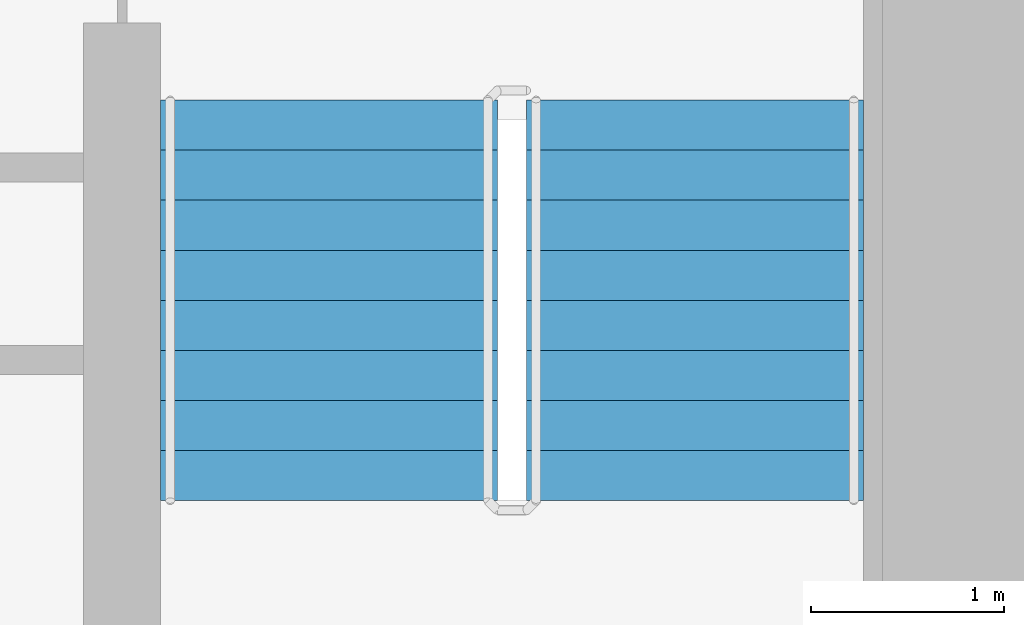
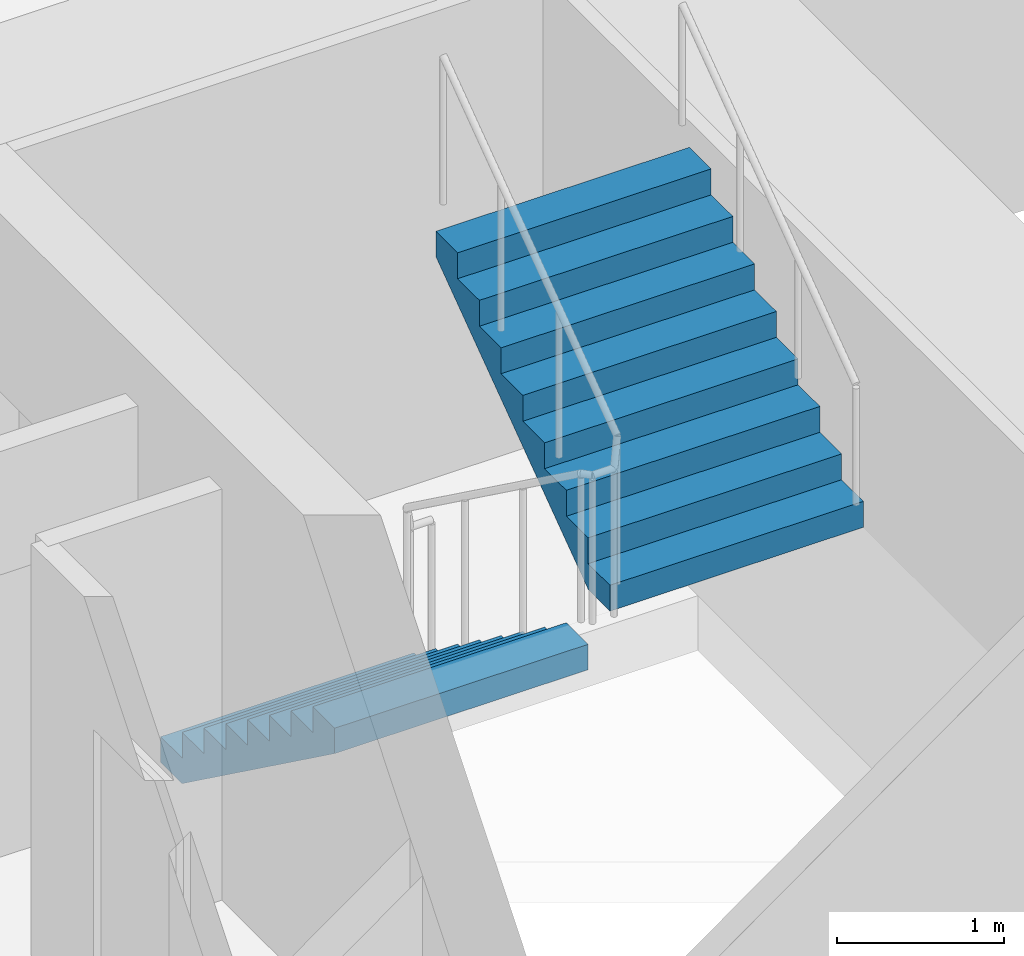
# One storey, part 18 of 21: 2 stair flights, 1 element without a shape of its own.
"""IFC4 building model written with IfcOpenShell, lengths in metres."""

from ifc_helpers import new_model, si_unit, direction, frame, origin, place, context, subcontext, project, spatial, faceted_brep, material, type_object, element, aggregate, save


model = new_model("IFC4")

# Units and contexts
model_context = context("Model", 3, precision=1e-05, world=origin(), true_north=direction((0.0, 1.0)))
body_context = subcontext(model_context, "Body", "Model", "MODEL_VIEW")
ifc_project = project(units=[si_unit("LENGTHUNIT", "METRE"), si_unit("AREAUNIT", "SQUARE_METRE"), si_unit("VOLUMEUNIT", "CUBIC_METRE"), si_unit("PLANEANGLEUNIT", "RADIAN"), si_unit("MASSUNIT", "GRAM", prefix="KILO")], contexts=[model_context])

# Site, building, storey
site_placement = place(None, origin())
site = spatial("IfcSite", under=ifc_project, at=site_placement, CompositionType="ELEMENT")
building_placement = place(site_placement, origin())
building = spatial("IfcBuilding", under=site, at=building_placement, Name="Ipe Terrace Towers", CompositionType="ELEMENT")
storey_placement = place(building_placement, frame((0.0, 0.0, 27.89990234375)))
storey = spatial("IfcBuildingStorey", under=building, at=storey_placement, Name="L06", CompositionType="ELEMENT", Elevation=27.89990234375)

# Stair, stair flights
ifc_material_1 = material(Name="Concrete C30/37", Category="concrete")
stair_type = type_object("IfcStairType", Name="Protected exit stair", PredefinedType="HALF_TURN_STAIR", material=ifc_material_1)
stair_placement = place(storey_placement, origin())
stair = element("IfcStair", 1, at=stair_placement, inside=storey, type_object=stair_type, Name="L06 Exit stair T2-C2", PredefinedType="HALF_TURN_STAIR")
ifc_material_2 = material(Name="Concrete C30/37", Category="concrete")
stair_flight_type = type_object("IfcStairFlightType", Name="Exit stair flight 1750", PredefinedType="STRAIGHT", material=ifc_material_2)
stair_flight_1_placement = place(storey_placement, frame((38.77490234375, -9.699951171875, 0.0), z_axis=(0.0, 0.0, 1.0), x_axis=(0.0, -1.0, 0.0)))
stair_flight_1 = element("IfcStairFlight", 2, at=stair_flight_1_placement, type_object=stair_flight_type, Name="T2-ST2 flight 1", NumberOfRisers=9, NumberOfTreads=8, PredefinedType="STRAIGHT", RiserHeight=0.188888889, TreadLength=0.26, context=body_context, shape_type="Brep", body=[
    faceted_brep([(0.255126953125, -0.875, 0.0), (2.080078125, -0.875, 1.325927734375), (2.080078125, -0.875, 1.51123046875), (1.820068359375, -0.875, 1.51123046875), (1.820068359375, -0.875, 1.322265625), (1.56005859375, -0.875, 1.322265625), (1.56005859375, -0.875, 1.13330078125), (1.300048828125, -0.875, 1.13330078125), (1.300048828125, -0.875, 0.9443359375), (1.0400390625, -0.875, 0.9443359375), (1.0400390625, -0.875, 0.755615234375), (0.780029296875, -0.875, 0.755615234375), (0.780029296875, -0.875, 0.566650390625), (0.52001953125, -0.875, 0.566650390625), (0.52001953125, -0.875, 0.377685546875), (0.260009765625, -0.875, 0.377685546875), (0.260009765625, -0.875, 0.18896484375), (0.0, -0.875, 0.18896484375), (0.0, -0.875, 0.0), (0.0, 0.875, 0.0), (0.0, 0.875, 0.18896484375), (0.260009765625, 0.875, 0.18896484375), (0.260009765625, 0.875, 0.377685546875), (0.52001953125, 0.875, 0.377685546875), (0.52001953125, 0.875, 0.566650390625), (0.780029296875, 0.875, 0.566650390625), (0.780029296875, 0.875, 0.755615234375), (1.0400390625, 0.875, 0.755615234375), (1.0400390625, 0.875, 0.9443359375), (1.300048828125, 0.875, 0.9443359375), (1.300048828125, 0.875, 1.13330078125), (1.56005859375, 0.875, 1.13330078125), (1.56005859375, 0.875, 1.322265625), (1.820068359375, 0.875, 1.322265625), (1.820068359375, 0.875, 1.51123046875), (2.080078125, 0.875, 1.51123046875), (2.080078125, 0.875, 1.325927734375), (0.255126953125, 0.875, 0.0), (0.0, -0.300048828125, 0.18896484375), (0.0, -0.1201171875, 0.18896484375), (0.0, -0.06005859375, 0.18896484375), (0.0, -0.030029296875, 0.18896484375), (0.0, -0.010009765625, 0.18896484375), (0.0, 0.0, 0.18896484375), (0.0, 0.010009765625, 0.18896484375), (0.0, 0.030029296875, 0.18896484375), (0.0, 0.06005859375, 0.18896484375), (0.0, 0.1201171875, 0.18896484375), (0.0, 0.300048828125, 0.18896484375), (0.0, 0.300048828125, 0.0), (0.0, 0.1201171875, 0.0), (0.0, 0.06005859375, 0.0), (0.0, 0.030029296875, 0.0), (0.0, 0.010009765625, 0.0), (0.0, 0.0, 0.0), (0.0, -0.010009765625, 0.0), (0.0, -0.030029296875, 0.0), (0.0, -0.06005859375, 0.0), (0.0, -0.1201171875, 0.0), (0.0, -0.300048828125, 0.0), (0.260009765625, -0.300048828125, 0.18896484375), (0.260009765625, -0.1201171875, 0.18896484375), (0.260009765625, -0.06005859375, 0.18896484375), (0.260009765625, -0.030029296875, 0.18896484375), (0.260009765625, -0.010009765625, 0.18896484375), (0.260009765625, 0.0, 0.18896484375), (0.260009765625, 0.010009765625, 0.18896484375), (0.260009765625, 0.030029296875, 0.18896484375), (0.260009765625, 0.06005859375, 0.18896484375), (0.260009765625, 0.1201171875, 0.18896484375), (0.260009765625, 0.300048828125, 0.18896484375), (0.260009765625, -0.300048828125, 0.377685546875), (0.260009765625, -0.1201171875, 0.377685546875), (0.260009765625, -0.06005859375, 0.377685546875), (0.260009765625, -0.030029296875, 0.377685546875), (0.260009765625, -0.010009765625, 0.377685546875), (0.260009765625, 0.0, 0.377685546875), (0.260009765625, 0.010009765625, 0.377685546875), (0.260009765625, 0.030029296875, 0.377685546875), (0.260009765625, 0.06005859375, 0.377685546875), (0.260009765625, 0.1201171875, 0.377685546875), (0.260009765625, 0.300048828125, 0.377685546875), (0.52001953125, -0.300048828125, 0.377685546875), (0.52001953125, -0.1201171875, 0.377685546875), (0.52001953125, -0.06005859375, 0.377685546875), (0.52001953125, -0.030029296875, 0.377685546875), (0.52001953125, -0.010009765625, 0.377685546875), (0.52001953125, 0.0, 0.377685546875), (0.52001953125, 0.010009765625, 0.377685546875), (0.52001953125, 0.030029296875, 0.377685546875), (0.52001953125, 0.06005859375, 0.377685546875), (0.52001953125, 0.1201171875, 0.377685546875), (0.52001953125, 0.300048828125, 0.377685546875), (0.52001953125, -0.300048828125, 0.566650390625), (0.52001953125, -0.1201171875, 0.566650390625), (0.52001953125, -0.06005859375, 0.566650390625), (0.52001953125, -0.030029296875, 0.566650390625), (0.52001953125, -0.010009765625, 0.566650390625), (0.52001953125, 0.0, 0.566650390625), (0.52001953125, 0.010009765625, 0.566650390625), (0.52001953125, 0.030029296875, 0.566650390625), (0.52001953125, 0.06005859375, 0.566650390625), (0.52001953125, 0.1201171875, 0.566650390625), (0.52001953125, 0.300048828125, 0.566650390625), (0.780029296875, -0.300048828125, 0.566650390625), (0.780029296875, -0.1201171875, 0.566650390625), (0.780029296875, -0.06005859375, 0.566650390625), (0.780029296875, -0.030029296875, 0.566650390625), (0.780029296875, -0.010009765625, 0.566650390625), (0.780029296875, 0.0, 0.566650390625), (0.780029296875, 0.010009765625, 0.566650390625), (0.780029296875, 0.030029296875, 0.566650390625), (0.780029296875, 0.06005859375, 0.566650390625), (0.780029296875, 0.1201171875, 0.566650390625), (0.780029296875, 0.300048828125, 0.566650390625), (0.780029296875, -0.300048828125, 0.755615234375), (0.780029296875, -0.1201171875, 0.755615234375), (0.780029296875, -0.06005859375, 0.755615234375), (0.780029296875, -0.030029296875, 0.755615234375), (0.780029296875, -0.010009765625, 0.755615234375), (0.780029296875, 0.0, 0.755615234375), (0.780029296875, 0.010009765625, 0.755615234375), (0.780029296875, 0.030029296875, 0.755615234375), (0.780029296875, 0.06005859375, 0.755615234375), (0.780029296875, 0.1201171875, 0.755615234375), (0.780029296875, 0.300048828125, 0.755615234375), (1.0400390625, -0.300048828125, 0.755615234375), (1.0400390625, -0.1201171875, 0.755615234375), (1.0400390625, -0.06005859375, 0.755615234375), (1.0400390625, -0.030029296875, 0.755615234375), (1.0400390625, -0.010009765625, 0.755615234375), (1.0400390625, 0.0, 0.755615234375), (1.0400390625, 0.010009765625, 0.755615234375), (1.0400390625, 0.030029296875, 0.755615234375), (1.0400390625, 0.06005859375, 0.755615234375), (1.0400390625, 0.1201171875, 0.755615234375), (1.0400390625, 0.300048828125, 0.755615234375), (1.0400390625, -0.300048828125, 0.9443359375), (1.0400390625, -0.1201171875, 0.9443359375), (1.0400390625, -0.06005859375, 0.9443359375), (1.0400390625, -0.030029296875, 0.9443359375), (1.0400390625, -0.010009765625, 0.9443359375), (1.0400390625, 0.0, 0.9443359375), (1.0400390625, 0.010009765625, 0.9443359375), (1.0400390625, 0.030029296875, 0.9443359375), (1.0400390625, 0.06005859375, 0.9443359375), (1.0400390625, 0.1201171875, 0.9443359375), (1.0400390625, 0.300048828125, 0.9443359375), (1.300048828125, -0.300048828125, 0.9443359375), (1.300048828125, -0.1201171875, 0.9443359375), (1.300048828125, -0.06005859375, 0.9443359375), (1.300048828125, -0.030029296875, 0.9443359375), (1.300048828125, -0.010009765625, 0.9443359375), (1.300048828125, 0.0, 0.9443359375), (1.300048828125, 0.010009765625, 0.9443359375), (1.300048828125, 0.030029296875, 0.9443359375), (1.300048828125, 0.06005859375, 0.9443359375), (1.300048828125, 0.1201171875, 0.9443359375), (1.300048828125, 0.300048828125, 0.9443359375), (1.300048828125, -0.300048828125, 1.13330078125), (1.300048828125, -0.1201171875, 1.13330078125), (1.300048828125, -0.06005859375, 1.13330078125), (1.300048828125, -0.030029296875, 1.13330078125), (1.300048828125, -0.010009765625, 1.13330078125), (1.300048828125, 0.0, 1.13330078125), (1.300048828125, 0.010009765625, 1.13330078125), (1.300048828125, 0.030029296875, 1.13330078125), (1.300048828125, 0.06005859375, 1.13330078125), (1.300048828125, 0.1201171875, 1.13330078125), (1.300048828125, 0.300048828125, 1.13330078125), (1.56005859375, -0.300048828125, 1.13330078125), (1.56005859375, -0.1201171875, 1.13330078125), (1.56005859375, -0.06005859375, 1.13330078125), (1.56005859375, -0.030029296875, 1.13330078125), (1.56005859375, -0.010009765625, 1.13330078125), (1.56005859375, 0.0, 1.13330078125), (1.56005859375, 0.010009765625, 1.13330078125), (1.56005859375, 0.030029296875, 1.13330078125), (1.56005859375, 0.06005859375, 1.13330078125), (1.56005859375, 0.1201171875, 1.13330078125), (1.56005859375, 0.300048828125, 1.13330078125), (1.56005859375, -0.300048828125, 1.322265625), (1.56005859375, -0.1201171875, 1.322265625), (1.56005859375, -0.06005859375, 1.322265625), (1.56005859375, -0.030029296875, 1.322265625), (1.56005859375, -0.010009765625, 1.322265625), (1.56005859375, 0.0, 1.322265625), (1.56005859375, 0.010009765625, 1.322265625), (1.56005859375, 0.030029296875, 1.322265625), (1.56005859375, 0.06005859375, 1.322265625), (1.56005859375, 0.1201171875, 1.322265625), (1.56005859375, 0.300048828125, 1.322265625), (1.820068359375, -0.300048828125, 1.322265625), (1.820068359375, -0.1201171875, 1.322265625), (1.820068359375, -0.06005859375, 1.322265625), (1.820068359375, -0.030029296875, 1.322265625), (1.820068359375, -0.010009765625, 1.322265625), (1.820068359375, 0.0, 1.322265625), (1.820068359375, 0.010009765625, 1.322265625), (1.820068359375, 0.030029296875, 1.322265625), (1.820068359375, 0.06005859375, 1.322265625), (1.820068359375, 0.1201171875, 1.322265625), (1.820068359375, 0.300048828125, 1.322265625), (1.820068359375, -0.300048828125, 1.51123046875), (1.820068359375, -0.1201171875, 1.51123046875), (1.820068359375, -0.06005859375, 1.51123046875), (1.820068359375, -0.030029296875, 1.51123046875), (1.820068359375, -0.010009765625, 1.51123046875), (1.820068359375, 0.0, 1.51123046875), (1.820068359375, 0.010009765625, 1.51123046875), (1.820068359375, 0.030029296875, 1.51123046875), (1.820068359375, 0.06005859375, 1.51123046875), (1.820068359375, 0.1201171875, 1.51123046875), (1.820068359375, 0.300048828125, 1.51123046875), (2.080078125, -0.300048828125, 1.51123046875), (2.080078125, -0.1201171875, 1.51123046875), (2.080078125, -0.06005859375, 1.51123046875), (2.080078125, -0.030029296875, 1.51123046875), (2.080078125, -0.010009765625, 1.51123046875), (2.080078125, 0.0, 1.51123046875), (2.080078125, 0.010009765625, 1.51123046875), (2.080078125, 0.030029296875, 1.51123046875), (2.080078125, 0.06005859375, 1.51123046875), (2.080078125, 0.1201171875, 1.51123046875), (2.080078125, 0.300048828125, 1.51123046875), (2.080078125, -0.300048828125, 1.325927734375), (2.080078125, -0.1201171875, 1.325927734375), (2.080078125, -0.06005859375, 1.325927734375), (2.080078125, -0.030029296875, 1.325927734375), (2.080078125, -0.010009765625, 1.325927734375), (2.080078125, 0.0, 1.325927734375), (2.080078125, 0.010009765625, 1.325927734375), (2.080078125, 0.030029296875, 1.325927734375), (2.080078125, 0.06005859375, 1.325927734375), (2.080078125, 0.1201171875, 1.325927734375), (2.080078125, 0.300048828125, 1.325927734375), (0.255126953125, -0.300048828125, 0.0), (0.255126953125, -0.1201171875, 0.0), (0.255126953125, -0.06005859375, 0.0), (0.255126953125, -0.030029296875, 0.0), (0.255126953125, -0.010009765625, 0.0), (0.255126953125, 0.0, 0.0), (0.255126953125, 0.010009765625, 0.0), (0.255126953125, 0.030029296875, 0.0), (0.255126953125, 0.06005859375, 0.0), (0.255126953125, 0.1201171875, 0.0), (0.255126953125, 0.300048828125, 0.0)], [[[0, 1, 2, 3, 4, 5, 6, 7, 8, 9, 10, 11, 12, 13, 14, 15, 16, 17, 18]], [[19, 20, 21, 22, 23, 24, 25, 26, 27, 28, 29, 30, 31, 32, 33, 34, 35, 36, 37]], [[17, 38, 39, 40, 41, 42, 43, 44, 45, 46, 47, 48, 20, 19, 49, 50, 51, 52, 53, 54, 55, 56, 57, 58, 59, 18]], [[16, 60, 61, 62, 63, 64, 65, 66, 67, 68, 69, 70, 21, 20, 48, 47, 46, 45, 44, 43, 42, 41, 40, 39, 38, 17]], [[15, 71, 72, 73, 74, 75, 76, 77, 78, 79, 80, 81, 22, 21, 70, 69, 68, 67, 66, 65, 64, 63, 62, 61, 60, 16]], [[14, 82, 83, 84, 85, 86, 87, 88, 89, 90, 91, 92, 23, 22, 81, 80, 79, 78, 77, 76, 75, 74, 73, 72, 71, 15]], [[13, 93, 94, 95, 96, 97, 98, 99, 100, 101, 102, 103, 24, 23, 92, 91, 90, 89, 88, 87, 86, 85, 84, 83, 82, 14]], [[12, 104, 105, 106, 107, 108, 109, 110, 111, 112, 113, 114, 25, 24, 103, 102, 101, 100, 99, 98, 97, 96, 95, 94, 93, 13]], [[11, 115, 116, 117, 118, 119, 120, 121, 122, 123, 124, 125, 26, 25, 114, 113, 112, 111, 110, 109, 108, 107, 106, 105, 104, 12]], [[10, 126, 127, 128, 129, 130, 131, 132, 133, 134, 135, 136, 27, 26, 125, 124, 123, 122, 121, 120, 119, 118, 117, 116, 115, 11]], [[9, 137, 138, 139, 140, 141, 142, 143, 144, 145, 146, 147, 28, 27, 136, 135, 134, 133, 132, 131, 130, 129, 128, 127, 126, 10]], [[8, 148, 149, 150, 151, 152, 153, 154, 155, 156, 157, 158, 29, 28, 147, 146, 145, 144, 143, 142, 141, 140, 139, 138, 137, 9]], [[7, 159, 160, 161, 162, 163, 164, 165, 166, 167, 168, 169, 30, 29, 158, 157, 156, 155, 154, 153, 152, 151, 150, 149, 148, 8]], [[6, 170, 171, 172, 173, 174, 175, 176, 177, 178, 179, 180, 31, 30, 169, 168, 167, 166, 165, 164, 163, 162, 161, 160, 159, 7]], [[5, 181, 182, 183, 184, 185, 186, 187, 188, 189, 190, 191, 32, 31, 180, 179, 178, 177, 176, 175, 174, 173, 172, 171, 170, 6]], [[4, 192, 193, 194, 195, 196, 197, 198, 199, 200, 201, 202, 33, 32, 191, 190, 189, 188, 187, 186, 185, 184, 183, 182, 181, 5]], [[3, 203, 204, 205, 206, 207, 208, 209, 210, 211, 212, 213, 34, 33, 202, 201, 200, 199, 198, 197, 196, 195, 194, 193, 192, 4]], [[2, 214, 215, 216, 217, 218, 219, 220, 221, 222, 223, 224, 35, 34, 213, 212, 211, 210, 209, 208, 207, 206, 205, 204, 203, 3]], [[1, 225, 226, 227, 228, 229, 230, 231, 232, 233, 234, 235, 36, 35, 224, 223, 222, 221, 220, 219, 218, 217, 216, 215, 214, 2]], [[0, 236, 237, 238, 239, 240, 241, 242, 243, 244, 245, 246, 37, 36, 235, 234, 233, 232, 231, 230, 229, 228, 227, 226, 225, 1]], [[18, 59, 58, 57, 56, 55, 54, 53, 52, 51, 50, 49, 19, 37, 246, 245, 244, 243, 242, 241, 240, 239, 238, 237, 236, 0]]]),
])
stair_flight_2_placement = place(storey_placement, frame((40.675048828125, -11.780029296875, 1.7001953125), z_axis=(0.0, 0.0, 1.0), x_axis=(0.0, 1.0, 0.0)))
stair_flight_2 = element("IfcStairFlight", 3, at=stair_flight_2_placement, type_object=stair_flight_type, Name="T2-ST2 flight 2", NumberOfRisers=9, NumberOfTreads=8, PredefinedType="STRAIGHT", RiserHeight=0.188888889, TreadLength=0.26, context=body_context, shape_type="Brep", body=[
    faceted_brep([(0.255126953125, -0.875, 0.0), (2.080078125, -0.875, 1.325927734375), (2.080078125, -0.875, 1.51123046875), (1.820068359375, -0.875, 1.51123046875), (1.820068359375, -0.875, 1.322265625), (1.56005859375, -0.875, 1.322265625), (1.56005859375, -0.875, 1.13330078125), (1.300048828125, -0.875, 1.13330078125), (1.300048828125, -0.875, 0.9443359375), (1.0400390625, -0.875, 0.9443359375), (1.0400390625, -0.875, 0.755615234375), (0.780029296875, -0.875, 0.755615234375), (0.780029296875, -0.875, 0.566650390625), (0.52001953125, -0.875, 0.566650390625), (0.52001953125, -0.875, 0.377685546875), (0.260009765625, -0.875, 0.377685546875), (0.260009765625, -0.875, 0.18896484375), (0.0, -0.875, 0.18896484375), (0.0, -0.875, 0.0), (0.0, 0.875, 0.0), (0.0, 0.875, 0.18896484375), (0.260009765625, 0.875, 0.18896484375), (0.260009765625, 0.875, 0.377685546875), (0.52001953125, 0.875, 0.377685546875), (0.52001953125, 0.875, 0.566650390625), (0.780029296875, 0.875, 0.566650390625), (0.780029296875, 0.875, 0.755615234375), (1.0400390625, 0.875, 0.755615234375), (1.0400390625, 0.875, 0.9443359375), (1.300048828125, 0.875, 0.9443359375), (1.300048828125, 0.875, 1.13330078125), (1.56005859375, 0.875, 1.13330078125), (1.56005859375, 0.875, 1.322265625), (1.820068359375, 0.875, 1.322265625), (1.820068359375, 0.875, 1.51123046875), (2.080078125, 0.875, 1.51123046875), (2.080078125, 0.875, 1.325927734375), (0.255126953125, 0.875, 0.0), (0.0, -0.300048828125, 0.18896484375), (0.0, -0.1201171875, 0.18896484375), (0.0, -0.06005859375, 0.18896484375), (0.0, -0.030029296875, 0.18896484375), (0.0, -0.010009765625, 0.18896484375), (0.0, 0.0, 0.18896484375), (0.0, 0.010009765625, 0.18896484375), (0.0, 0.030029296875, 0.18896484375), (0.0, 0.06005859375, 0.18896484375), (0.0, 0.1201171875, 0.18896484375), (0.0, 0.300048828125, 0.18896484375), (0.0, 0.300048828125, 0.0), (0.0, 0.1201171875, 0.0), (0.0, 0.06005859375, 0.0), (0.0, 0.030029296875, 0.0), (0.0, 0.010009765625, 0.0), (0.0, 0.0, 0.0), (0.0, -0.010009765625, 0.0), (0.0, -0.030029296875, 0.0), (0.0, -0.06005859375, 0.0), (0.0, -0.1201171875, 0.0), (0.0, -0.300048828125, 0.0), (0.260009765625, -0.300048828125, 0.18896484375), (0.260009765625, -0.1201171875, 0.18896484375), (0.260009765625, -0.06005859375, 0.18896484375), (0.260009765625, -0.030029296875, 0.18896484375), (0.260009765625, -0.010009765625, 0.18896484375), (0.260009765625, 0.0, 0.18896484375), (0.260009765625, 0.010009765625, 0.18896484375), (0.260009765625, 0.030029296875, 0.18896484375), (0.260009765625, 0.06005859375, 0.18896484375), (0.260009765625, 0.1201171875, 0.18896484375), (0.260009765625, 0.300048828125, 0.18896484375), (0.260009765625, -0.300048828125, 0.377685546875), (0.260009765625, -0.1201171875, 0.377685546875), (0.260009765625, -0.06005859375, 0.377685546875), (0.260009765625, -0.030029296875, 0.377685546875), (0.260009765625, -0.010009765625, 0.377685546875), (0.260009765625, 0.0, 0.377685546875), (0.260009765625, 0.010009765625, 0.377685546875), (0.260009765625, 0.030029296875, 0.377685546875), (0.260009765625, 0.06005859375, 0.377685546875), (0.260009765625, 0.1201171875, 0.377685546875), (0.260009765625, 0.300048828125, 0.377685546875), (0.52001953125, -0.300048828125, 0.377685546875), (0.52001953125, -0.1201171875, 0.377685546875), (0.52001953125, -0.06005859375, 0.377685546875), (0.52001953125, -0.030029296875, 0.377685546875), (0.52001953125, -0.010009765625, 0.377685546875), (0.52001953125, 0.0, 0.377685546875), (0.52001953125, 0.010009765625, 0.377685546875), (0.52001953125, 0.030029296875, 0.377685546875), (0.52001953125, 0.06005859375, 0.377685546875), (0.52001953125, 0.1201171875, 0.377685546875), (0.52001953125, 0.300048828125, 0.377685546875), (0.52001953125, -0.300048828125, 0.566650390625), (0.52001953125, -0.1201171875, 0.566650390625), (0.52001953125, -0.06005859375, 0.566650390625), (0.52001953125, -0.030029296875, 0.566650390625), (0.52001953125, -0.010009765625, 0.566650390625), (0.52001953125, 0.0, 0.566650390625), (0.52001953125, 0.010009765625, 0.566650390625), (0.52001953125, 0.030029296875, 0.566650390625), (0.52001953125, 0.06005859375, 0.566650390625), (0.52001953125, 0.1201171875, 0.566650390625), (0.52001953125, 0.300048828125, 0.566650390625), (0.780029296875, -0.300048828125, 0.566650390625), (0.780029296875, -0.1201171875, 0.566650390625), (0.780029296875, -0.06005859375, 0.566650390625), (0.780029296875, -0.030029296875, 0.566650390625), (0.780029296875, -0.010009765625, 0.566650390625), (0.780029296875, 0.0, 0.566650390625), (0.780029296875, 0.010009765625, 0.566650390625), (0.780029296875, 0.030029296875, 0.566650390625), (0.780029296875, 0.06005859375, 0.566650390625), (0.780029296875, 0.1201171875, 0.566650390625), (0.780029296875, 0.300048828125, 0.566650390625), (0.780029296875, -0.300048828125, 0.755615234375), (0.780029296875, -0.1201171875, 0.755615234375), (0.780029296875, -0.06005859375, 0.755615234375), (0.780029296875, -0.030029296875, 0.755615234375), (0.780029296875, -0.010009765625, 0.755615234375), (0.780029296875, 0.0, 0.755615234375), (0.780029296875, 0.010009765625, 0.755615234375), (0.780029296875, 0.030029296875, 0.755615234375), (0.780029296875, 0.06005859375, 0.755615234375), (0.780029296875, 0.1201171875, 0.755615234375), (0.780029296875, 0.300048828125, 0.755615234375), (1.0400390625, -0.300048828125, 0.755615234375), (1.0400390625, -0.1201171875, 0.755615234375), (1.0400390625, -0.06005859375, 0.755615234375), (1.0400390625, -0.030029296875, 0.755615234375), (1.0400390625, -0.010009765625, 0.755615234375), (1.0400390625, 0.0, 0.755615234375), (1.0400390625, 0.010009765625, 0.755615234375), (1.0400390625, 0.030029296875, 0.755615234375), (1.0400390625, 0.06005859375, 0.755615234375), (1.0400390625, 0.1201171875, 0.755615234375), (1.0400390625, 0.300048828125, 0.755615234375), (1.0400390625, -0.300048828125, 0.9443359375), (1.0400390625, -0.1201171875, 0.9443359375), (1.0400390625, -0.06005859375, 0.9443359375), (1.0400390625, -0.030029296875, 0.9443359375), (1.0400390625, -0.010009765625, 0.9443359375), (1.0400390625, 0.0, 0.9443359375), (1.0400390625, 0.010009765625, 0.9443359375), (1.0400390625, 0.030029296875, 0.9443359375), (1.0400390625, 0.06005859375, 0.9443359375), (1.0400390625, 0.1201171875, 0.9443359375), (1.0400390625, 0.300048828125, 0.9443359375), (1.300048828125, -0.300048828125, 0.9443359375), (1.300048828125, -0.1201171875, 0.9443359375), (1.300048828125, -0.06005859375, 0.9443359375), (1.300048828125, -0.030029296875, 0.9443359375), (1.300048828125, -0.010009765625, 0.9443359375), (1.300048828125, 0.0, 0.9443359375), (1.300048828125, 0.010009765625, 0.9443359375), (1.300048828125, 0.030029296875, 0.9443359375), (1.300048828125, 0.06005859375, 0.9443359375), (1.300048828125, 0.1201171875, 0.9443359375), (1.300048828125, 0.300048828125, 0.9443359375), (1.300048828125, -0.300048828125, 1.13330078125), (1.300048828125, -0.1201171875, 1.13330078125), (1.300048828125, -0.06005859375, 1.13330078125), (1.300048828125, -0.030029296875, 1.13330078125), (1.300048828125, -0.010009765625, 1.13330078125), (1.300048828125, 0.0, 1.13330078125), (1.300048828125, 0.010009765625, 1.13330078125), (1.300048828125, 0.030029296875, 1.13330078125), (1.300048828125, 0.06005859375, 1.13330078125), (1.300048828125, 0.1201171875, 1.13330078125), (1.300048828125, 0.300048828125, 1.13330078125), (1.56005859375, -0.300048828125, 1.13330078125), (1.56005859375, -0.1201171875, 1.13330078125), (1.56005859375, -0.06005859375, 1.13330078125), (1.56005859375, -0.030029296875, 1.13330078125), (1.56005859375, -0.010009765625, 1.13330078125), (1.56005859375, 0.0, 1.13330078125), (1.56005859375, 0.010009765625, 1.13330078125), (1.56005859375, 0.030029296875, 1.13330078125), (1.56005859375, 0.06005859375, 1.13330078125), (1.56005859375, 0.1201171875, 1.13330078125), (1.56005859375, 0.300048828125, 1.13330078125), (1.56005859375, -0.300048828125, 1.322265625), (1.56005859375, -0.1201171875, 1.322265625), (1.56005859375, -0.06005859375, 1.322265625), (1.56005859375, -0.030029296875, 1.322265625), (1.56005859375, -0.010009765625, 1.322265625), (1.56005859375, 0.0, 1.322265625), (1.56005859375, 0.010009765625, 1.322265625), (1.56005859375, 0.030029296875, 1.322265625), (1.56005859375, 0.06005859375, 1.322265625), (1.56005859375, 0.1201171875, 1.322265625), (1.56005859375, 0.300048828125, 1.322265625), (1.820068359375, -0.300048828125, 1.322265625), (1.820068359375, -0.1201171875, 1.322265625), (1.820068359375, -0.06005859375, 1.322265625), (1.820068359375, -0.030029296875, 1.322265625), (1.820068359375, -0.010009765625, 1.322265625), (1.820068359375, 0.0, 1.322265625), (1.820068359375, 0.010009765625, 1.322265625), (1.820068359375, 0.030029296875, 1.322265625), (1.820068359375, 0.06005859375, 1.322265625), (1.820068359375, 0.1201171875, 1.322265625), (1.820068359375, 0.300048828125, 1.322265625), (1.820068359375, -0.300048828125, 1.51123046875), (1.820068359375, -0.1201171875, 1.51123046875), (1.820068359375, -0.06005859375, 1.51123046875), (1.820068359375, -0.030029296875, 1.51123046875), (1.820068359375, -0.010009765625, 1.51123046875), (1.820068359375, 0.0, 1.51123046875), (1.820068359375, 0.010009765625, 1.51123046875), (1.820068359375, 0.030029296875, 1.51123046875), (1.820068359375, 0.06005859375, 1.51123046875), (1.820068359375, 0.1201171875, 1.51123046875), (1.820068359375, 0.300048828125, 1.51123046875), (2.080078125, -0.300048828125, 1.51123046875), (2.080078125, -0.1201171875, 1.51123046875), (2.080078125, -0.06005859375, 1.51123046875), (2.080078125, -0.030029296875, 1.51123046875), (2.080078125, -0.010009765625, 1.51123046875), (2.080078125, 0.0, 1.51123046875), (2.080078125, 0.010009765625, 1.51123046875), (2.080078125, 0.030029296875, 1.51123046875), (2.080078125, 0.06005859375, 1.51123046875), (2.080078125, 0.1201171875, 1.51123046875), (2.080078125, 0.300048828125, 1.51123046875), (2.080078125, -0.300048828125, 1.325927734375), (2.080078125, -0.1201171875, 1.325927734375), (2.080078125, -0.06005859375, 1.325927734375), (2.080078125, -0.030029296875, 1.325927734375), (2.080078125, -0.010009765625, 1.325927734375), (2.080078125, 0.0, 1.325927734375), (2.080078125, 0.010009765625, 1.325927734375), (2.080078125, 0.030029296875, 1.325927734375), (2.080078125, 0.06005859375, 1.325927734375), (2.080078125, 0.1201171875, 1.325927734375), (2.080078125, 0.300048828125, 1.325927734375), (0.255126953125, -0.300048828125, 0.0), (0.255126953125, -0.1201171875, 0.0), (0.255126953125, -0.06005859375, 0.0), (0.255126953125, -0.030029296875, 0.0), (0.255126953125, -0.010009765625, 0.0), (0.255126953125, 0.0, 0.0), (0.255126953125, 0.010009765625, 0.0), (0.255126953125, 0.030029296875, 0.0), (0.255126953125, 0.06005859375, 0.0), (0.255126953125, 0.1201171875, 0.0), (0.255126953125, 0.300048828125, 0.0)], [[[0, 1, 2, 3, 4, 5, 6, 7, 8, 9, 10, 11, 12, 13, 14, 15, 16, 17, 18]], [[19, 20, 21, 22, 23, 24, 25, 26, 27, 28, 29, 30, 31, 32, 33, 34, 35, 36, 37]], [[17, 38, 39, 40, 41, 42, 43, 44, 45, 46, 47, 48, 20, 19, 49, 50, 51, 52, 53, 54, 55, 56, 57, 58, 59, 18]], [[16, 60, 61, 62, 63, 64, 65, 66, 67, 68, 69, 70, 21, 20, 48, 47, 46, 45, 44, 43, 42, 41, 40, 39, 38, 17]], [[15, 71, 72, 73, 74, 75, 76, 77, 78, 79, 80, 81, 22, 21, 70, 69, 68, 67, 66, 65, 64, 63, 62, 61, 60, 16]], [[14, 82, 83, 84, 85, 86, 87, 88, 89, 90, 91, 92, 23, 22, 81, 80, 79, 78, 77, 76, 75, 74, 73, 72, 71, 15]], [[13, 93, 94, 95, 96, 97, 98, 99, 100, 101, 102, 103, 24, 23, 92, 91, 90, 89, 88, 87, 86, 85, 84, 83, 82, 14]], [[12, 104, 105, 106, 107, 108, 109, 110, 111, 112, 113, 114, 25, 24, 103, 102, 101, 100, 99, 98, 97, 96, 95, 94, 93, 13]], [[11, 115, 116, 117, 118, 119, 120, 121, 122, 123, 124, 125, 26, 25, 114, 113, 112, 111, 110, 109, 108, 107, 106, 105, 104, 12]], [[10, 126, 127, 128, 129, 130, 131, 132, 133, 134, 135, 136, 27, 26, 125, 124, 123, 122, 121, 120, 119, 118, 117, 116, 115, 11]], [[9, 137, 138, 139, 140, 141, 142, 143, 144, 145, 146, 147, 28, 27, 136, 135, 134, 133, 132, 131, 130, 129, 128, 127, 126, 10]], [[8, 148, 149, 150, 151, 152, 153, 154, 155, 156, 157, 158, 29, 28, 147, 146, 145, 144, 143, 142, 141, 140, 139, 138, 137, 9]], [[7, 159, 160, 161, 162, 163, 164, 165, 166, 167, 168, 169, 30, 29, 158, 157, 156, 155, 154, 153, 152, 151, 150, 149, 148, 8]], [[6, 170, 171, 172, 173, 174, 175, 176, 177, 178, 179, 180, 31, 30, 169, 168, 167, 166, 165, 164, 163, 162, 161, 160, 159, 7]], [[5, 181, 182, 183, 184, 185, 186, 187, 188, 189, 190, 191, 32, 31, 180, 179, 178, 177, 176, 175, 174, 173, 172, 171, 170, 6]], [[4, 192, 193, 194, 195, 196, 197, 198, 199, 200, 201, 202, 33, 32, 191, 190, 189, 188, 187, 186, 185, 184, 183, 182, 181, 5]], [[3, 203, 204, 205, 206, 207, 208, 209, 210, 211, 212, 213, 34, 33, 202, 201, 200, 199, 198, 197, 196, 195, 194, 193, 192, 4]], [[2, 214, 215, 216, 217, 218, 219, 220, 221, 222, 223, 224, 35, 34, 213, 212, 211, 210, 209, 208, 207, 206, 205, 204, 203, 3]], [[1, 225, 226, 227, 228, 229, 230, 231, 232, 233, 234, 235, 36, 35, 224, 223, 222, 221, 220, 219, 218, 217, 216, 215, 214, 2]], [[0, 236, 237, 238, 239, 240, 241, 242, 243, 244, 245, 246, 37, 36, 235, 234, 233, 232, 231, 230, 229, 228, 227, 226, 225, 1]], [[18, 59, 58, 57, 56, 55, 54, 53, 52, 51, 50, 49, 19, 37, 246, 245, 244, 243, 242, 241, 240, 239, 238, 237, 236, 0]]]),
])
aggregate(stair, [stair_flight_1, stair_flight_2])

save(model, "model.ifc")
